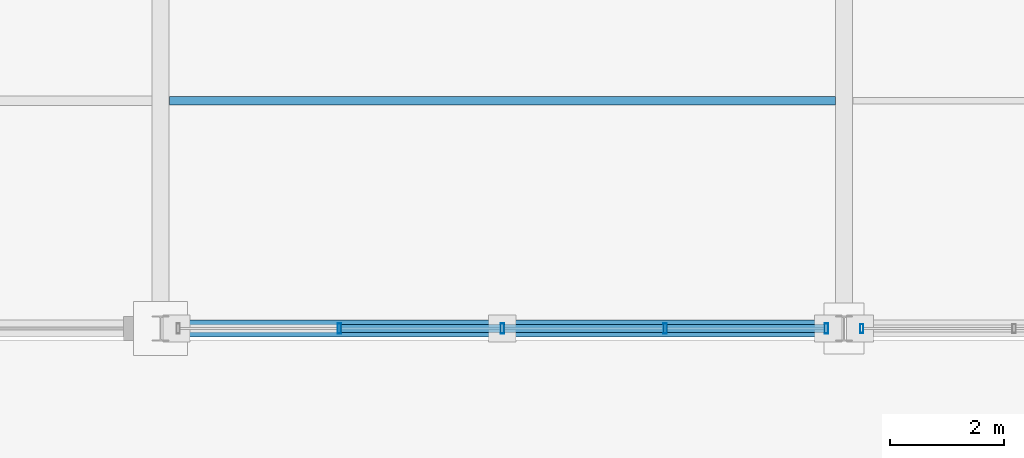
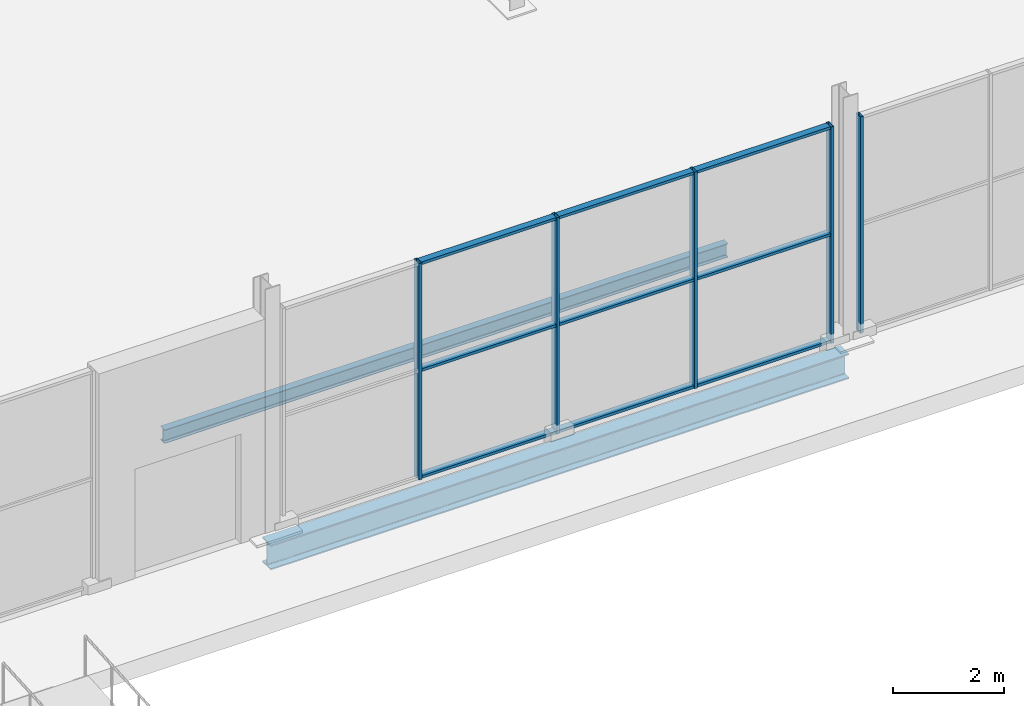
# One storey, part 125 of 196: 14 members, 2 beams, 2 elements without a shape of their own.
"""IFC4 building model written with IfcOpenShell, lengths in metres."""

from ifc_helpers import new_model, si_unit, direction, frame, origin, origin_2d, place, context, subcontext, project, spatial, hollow_rectangle, i_section, extrude, material, material_profile, profile_set, type_object, element, aggregate, save


model = new_model("IFC4")

# Units and contexts
model_context = context("Model", 3, precision=1e-05, world=origin(), true_north=direction((0.0, 1.0)))
body_context = subcontext(model_context, "Body", "Model", "MODEL_VIEW")
ifc_project = project(units=[si_unit("LENGTHUNIT", "METRE"), si_unit("AREAUNIT", "SQUARE_METRE"), si_unit("VOLUMEUNIT", "CUBIC_METRE"), si_unit("PLANEANGLEUNIT", "RADIAN"), si_unit("MASSUNIT", "GRAM", prefix="KILO")], contexts=[model_context])

# Site, building, storey
site_placement = place(None, origin())
site = spatial("IfcSite", under=ifc_project, at=site_placement, CompositionType="ELEMENT")
building_placement = place(site_placement, origin())
building = spatial("IfcBuilding", under=site, at=building_placement, Name="Merenkruunu Market Hall", CompositionType="ELEMENT")
storey_placement = place(building_placement, origin())
storey = spatial("IfcBuildingStorey", under=building, at=storey_placement, Name="L00", CompositionType="ELEMENT", Elevation=0.0)

# Curtain wall, member
ifc_material_1 = material(Name="Powder-coated aluminium", Category="aluminium")
curtain_wall_type_1 = type_object("IfcCurtainWallType", Name="Glazed Curtain Wall CW06", PredefinedType="USERDEFINED", material=ifc_material_1)
curtain_wall_1_placement = place(storey_placement, origin())
curtain_wall_1 = element("IfcCurtainWall", 1, at=curtain_wall_1_placement, inside=storey, type_object=curtain_wall_type_1, Name="CW-L00-CWM01-198", ObjectType="GLAZED_FACADE", PredefinedType="USERDEFINED")
ifc_material_profile_1 = material_profile(ifc_material_1, hollow_rectangle(XDim=0.06005859375, YDim=0.159912109375, WallThickness=0.00390625, at=origin_2d()), Name="ALU 60x160x4")
ifc_profile_set_1 = profile_set([ifc_material_profile_1], Name="Powder-coated aluminium")
member_type_1 = type_object("IfcMemberType", Name="Curtain Wall Mullion CWM01", PredefinedType="MULLION", material=ifc_profile_set_1)
member_1_placement = place(storey_placement, frame((137.110107421875, 15.60009765625, 0.0), z_axis=(0.0, 0.0, 1.0), x_axis=(-1.0, 0.0, 0.0)))
member_1 = element("IfcMember", 2, at=member_1_placement, type_object=member_type_1, Name="CW06 mullion 4", PredefinedType="MULLION", context=body_context, shape_type="SweptSolid", body=[
    extrude(hollow_rectangle(XDim=0.06005859375, YDim=0.159912109375, WallThickness=0.00390625, at=origin_2d()), origin(), (0.0, 0.0, 1.0), 4.75),
])
aggregate(curtain_wall_1, [member_1])

# Curtain wall, members
curtain_wall_type_2 = type_object("IfcCurtainWallType", Name="Glazed Curtain Wall CW04", PredefinedType="USERDEFINED", material=ifc_material_1)
curtain_wall_2_placement = place(storey_placement, origin())
curtain_wall_2 = element("IfcCurtainWall", 3, at=curtain_wall_2_placement, inside=storey, type_object=curtain_wall_type_2, Name="CW-L00-CWM02-194", ObjectType="GLAZED_FACADE", PredefinedType="USERDEFINED")
ifc_material_profile_2 = material_profile(ifc_material_1, hollow_rectangle(XDim=0.06005859375, YDim=0.179931640625, WallThickness=0.00390625, at=origin_2d()), Name="ALU 60x180x4")
ifc_profile_set_2 = profile_set([ifc_material_profile_2], Name="Powder-coated aluminium")
member_type_2 = type_object("IfcMemberType", Name="Curtain Wall Mullion CWM02", PredefinedType="MULLION", material=ifc_profile_set_2)
member_2_placement = place(storey_placement, frame((136.489990234375, 15.60009765625, 0.0), z_axis=(0.0, 0.0, 1.0), x_axis=(-1.0, 0.0, 0.0)))
member_2 = element("IfcMember", 4, at=member_2_placement, type_object=member_type_2, Name="CW04 mullion 1", PredefinedType="MULLION", context=body_context, shape_type="SweptSolid", body=[
    extrude(hollow_rectangle(XDim=0.06005859375, YDim=0.179931640625, WallThickness=0.00390625, at=origin_2d()), origin(), (0.0, 0.0, 1.0), 4.75),
])
member_3_placement = place(storey_placement, frame((133.659912109375, 15.60009765625, 0.0), z_axis=(0.0, 0.0, 1.0), x_axis=(-1.0, 0.0, 0.0)))
member_3 = element("IfcMember", 5, at=member_3_placement, type_object=member_type_2, Name="CW04 mullion 2", PredefinedType="MULLION", context=body_context, shape_type="SweptSolid", body=[
    extrude(hollow_rectangle(XDim=0.06005859375, YDim=0.179931640625, WallThickness=0.00390625, at=origin_2d()), origin(), (0.0, 0.0, 1.0), 4.75),
])
member_4_placement = place(storey_placement, frame((130.800048828125, 15.60009765625, 0.0), z_axis=(0.0, 0.0, 1.0), x_axis=(-1.0, 0.0, 0.0)))
member_4 = element("IfcMember", 6, at=member_4_placement, type_object=member_type_2, Name="CW04 mullion 3", PredefinedType="MULLION", context=body_context, shape_type="SweptSolid", body=[
    extrude(hollow_rectangle(XDim=0.06005859375, YDim=0.179931640625, WallThickness=0.00390625, at=origin_2d()), origin(), (0.0, 0.0, 1.0), 4.75),
])
member_5_placement = place(storey_placement, frame((127.93994140625, 15.60009765625, 0.0), z_axis=(0.0, 0.0, 1.0), x_axis=(-1.0, 0.0, 0.0)))
member_5 = element("IfcMember", 7, at=member_5_placement, type_object=member_type_2, Name="CW04 mullion 4", PredefinedType="MULLION", context=body_context, shape_type="SweptSolid", body=[
    extrude(hollow_rectangle(XDim=0.06005859375, YDim=0.179931640625, WallThickness=0.00390625, at=origin_2d()), origin(), (0.0, 0.0, 1.0), 4.75),
])
ifc_material_profile_3 = material_profile(ifc_material_1, hollow_rectangle(XDim=0.06005859375, YDim=0.139892578125, WallThickness=0.00390625, at=origin_2d()), Name="ALU 60x140x4")
ifc_profile_set_3 = profile_set([ifc_material_profile_3], Name="Powder-coated aluminium")
member_type_3 = type_object("IfcMemberType", Name="Curtain Wall Transom CWT02", PredefinedType="USERDEFINED", material=ifc_profile_set_3)
member_6_placement = place(storey_placement, frame((136.4599609375, 15.60009765625, 0.030029296875), z_axis=(-1.0, 0.0, 0.0), x_axis=(0.0, 0.0, 1.0)))
member_6 = element("IfcMember", 8, at=member_6_placement, type_object=member_type_3, Name="CW04 transom 1.1", ObjectType="TRANSOM", PredefinedType="USERDEFINED", context=body_context, shape_type="SweptSolid", body=[
    extrude(hollow_rectangle(XDim=0.06005859375, YDim=0.139892578125, WallThickness=0.00390625, at=origin_2d()), origin(), (0.0, 0.0, 1.0), 2.77001953125),
])
member_7_placement = place(storey_placement, frame((136.4599609375, 15.60009765625, 2.375), z_axis=(-1.0, 0.0, 0.0), x_axis=(0.0, 0.0, 1.0)))
member_7 = element("IfcMember", 9, at=member_7_placement, type_object=member_type_3, Name="CW04 transom 1.2", ObjectType="TRANSOM", PredefinedType="USERDEFINED", context=body_context, shape_type="SweptSolid", body=[
    extrude(hollow_rectangle(XDim=0.06005859375, YDim=0.139892578125, WallThickness=0.00390625, at=origin_2d()), origin(), (0.0, 0.0, 1.0), 2.77001953125),
])
member_8_placement = place(storey_placement, frame((136.4599609375, 15.60009765625, 4.719970703125), z_axis=(-1.0, 0.0, 0.0), x_axis=(0.0, 0.0, 1.0)))
member_8 = element("IfcMember", 10, at=member_8_placement, type_object=member_type_3, Name="CW04 transom 1.3", ObjectType="TRANSOM", PredefinedType="USERDEFINED", context=body_context, shape_type="SweptSolid", body=[
    extrude(hollow_rectangle(XDim=0.06005859375, YDim=0.139892578125, WallThickness=0.00390625, at=origin_2d()), origin(), (0.0, 0.0, 1.0), 2.77001953125),
])
member_9_placement = place(storey_placement, frame((133.6298828125, 15.60009765625, 0.030029296875), z_axis=(-1.0, 0.0, 0.0), x_axis=(0.0, 0.0, 1.0)))
member_9 = element("IfcMember", 11, at=member_9_placement, type_object=member_type_3, Name="CW04 transom 2.1", ObjectType="TRANSOM", PredefinedType="USERDEFINED", context=body_context, shape_type="SweptSolid", body=[
    extrude(hollow_rectangle(XDim=0.06005859375, YDim=0.139892578125, WallThickness=0.00390625, at=origin_2d()), origin(), (0.0, 0.0, 1.0), 2.7998046875),
])
member_10_placement = place(storey_placement, frame((133.6298828125, 15.60009765625, 2.375), z_axis=(-1.0, 0.0, 0.0), x_axis=(0.0, 0.0, 1.0)))
member_10 = element("IfcMember", 12, at=member_10_placement, type_object=member_type_3, Name="CW04 transom 2.2", ObjectType="TRANSOM", PredefinedType="USERDEFINED", context=body_context, shape_type="SweptSolid", body=[
    extrude(hollow_rectangle(XDim=0.06005859375, YDim=0.139892578125, WallThickness=0.00390625, at=origin_2d()), origin(), (0.0, 0.0, 1.0), 2.7998046875),
])
member_11_placement = place(storey_placement, frame((133.6298828125, 15.60009765625, 4.719970703125), z_axis=(-1.0, 0.0, 0.0), x_axis=(0.0, 0.0, 1.0)))
member_11 = element("IfcMember", 13, at=member_11_placement, type_object=member_type_3, Name="CW04 transom 2.3", ObjectType="TRANSOM", PredefinedType="USERDEFINED", context=body_context, shape_type="SweptSolid", body=[
    extrude(hollow_rectangle(XDim=0.06005859375, YDim=0.139892578125, WallThickness=0.00390625, at=origin_2d()), origin(), (0.0, 0.0, 1.0), 2.7998046875),
])
member_12_placement = place(storey_placement, frame((130.77001953125, 15.60009765625, 0.030029296875), z_axis=(-1.0, 0.0, 0.0), x_axis=(0.0, 0.0, 1.0)))
member_12 = element("IfcMember", 14, at=member_12_placement, type_object=member_type_3, Name="CW04 transom 3.1", ObjectType="TRANSOM", PredefinedType="USERDEFINED", context=body_context, shape_type="SweptSolid", body=[
    extrude(hollow_rectangle(XDim=0.06005859375, YDim=0.139892578125, WallThickness=0.00390625, at=origin_2d()), origin(), (0.0, 0.0, 1.0), 2.800048828125),
])
member_13_placement = place(storey_placement, frame((130.77001953125, 15.60009765625, 2.375), z_axis=(-1.0, 0.0, 0.0), x_axis=(0.0, 0.0, 1.0)))
member_13 = element("IfcMember", 15, at=member_13_placement, type_object=member_type_3, Name="CW04 transom 3.2", ObjectType="TRANSOM", PredefinedType="USERDEFINED", context=body_context, shape_type="SweptSolid", body=[
    extrude(hollow_rectangle(XDim=0.06005859375, YDim=0.139892578125, WallThickness=0.00390625, at=origin_2d()), origin(), (0.0, 0.0, 1.0), 2.800048828125),
])
member_14_placement = place(storey_placement, frame((130.77001953125, 15.60009765625, 4.719970703125), z_axis=(-1.0, 0.0, 0.0), x_axis=(0.0, 0.0, 1.0)))
member_14 = element("IfcMember", 16, at=member_14_placement, type_object=member_type_3, Name="CW04 transom 3.3", ObjectType="TRANSOM", PredefinedType="USERDEFINED", context=body_context, shape_type="SweptSolid", body=[
    extrude(hollow_rectangle(XDim=0.06005859375, YDim=0.139892578125, WallThickness=0.00390625, at=origin_2d()), origin(), (0.0, 0.0, 1.0), 2.800048828125),
])
aggregate(curtain_wall_2, [member_2, member_3, member_4, member_5, member_6, member_7, member_8, member_9, member_10, member_11, member_12, member_13, member_14])

# Beams
ifc_material_2 = material(Name="Steel S355J2", Category="steel")
ifc_material_profile_4 = material_profile(ifc_material_2, i_section(OverallWidth=0.300048828125, OverallDepth=0.550048828125, WebThickness=0.014892578125, FlangeThickness=0.029052734375, FilletRadius=0.027099609375, at=origin_2d()), Name="HEB 550")
ifc_profile_set_4 = profile_set([ifc_material_profile_4], Name="Steel S355J2")
beam_type_1 = type_object("IfcBeamType", Name="Primary Floor Girder B02", PredefinedType="BEAM", material=ifc_profile_set_4)
beam_1_placement = place(storey_placement, frame((124.800048828125, 15.60009765625, -0.574951171875), z_axis=(1.0, 0.0, 0.0), x_axis=(0.0, 1.0, 0.0)))
element("IfcBeam", 17, at=beam_1_placement, inside=storey, type_object=beam_type_1, Name="BM-L00-B02-0021", PredefinedType="BEAM", context=body_context, shape_type="SweptSolid", body=[
    extrude(i_section(OverallWidth=0.300048828125, OverallDepth=0.550048828125, WebThickness=0.014892578125, FlangeThickness=0.029052734375, FilletRadius=0.027099609375, at=origin_2d()), origin(), (0.0, 0.0, 1.0), 12.0),
])
ifc_material_profile_5 = material_profile(ifc_material_2, i_section(OverallWidth=0.14990234375, OverallDepth=0.300048828125, WebThickness=0.007080078125, FlangeThickness=0.0107421875, FilletRadius=0.014892578125, at=origin_2d()), Name="IPE 300")
ifc_profile_set_5 = profile_set([ifc_material_profile_5], Name="Steel S355J2")
beam_type_2 = type_object("IfcBeamType", Name="Secondary Floor Joist J04", PredefinedType="JOIST", material=ifc_profile_set_5)
beam_2_placement = place(storey_placement, frame((124.952880859375, 19.60009765625, -0.449951171875), z_axis=(1.0, 0.0, 0.0), x_axis=(0.0, 1.0, 0.0)))
element("IfcBeam", 18, at=beam_2_placement, inside=storey, type_object=beam_type_2, Name="BM-L00-J04-0407", PredefinedType="JOIST", context=body_context, shape_type="SweptSolid", body=[
    extrude(i_section(OverallWidth=0.14990234375, OverallDepth=0.300048828125, WebThickness=0.007080078125, FlangeThickness=0.0107421875, FilletRadius=0.014892578125, at=origin_2d()), origin(), (0.0, 0.0, 1.0), 11.694091796875),
])

save(model, "model.ifc")
